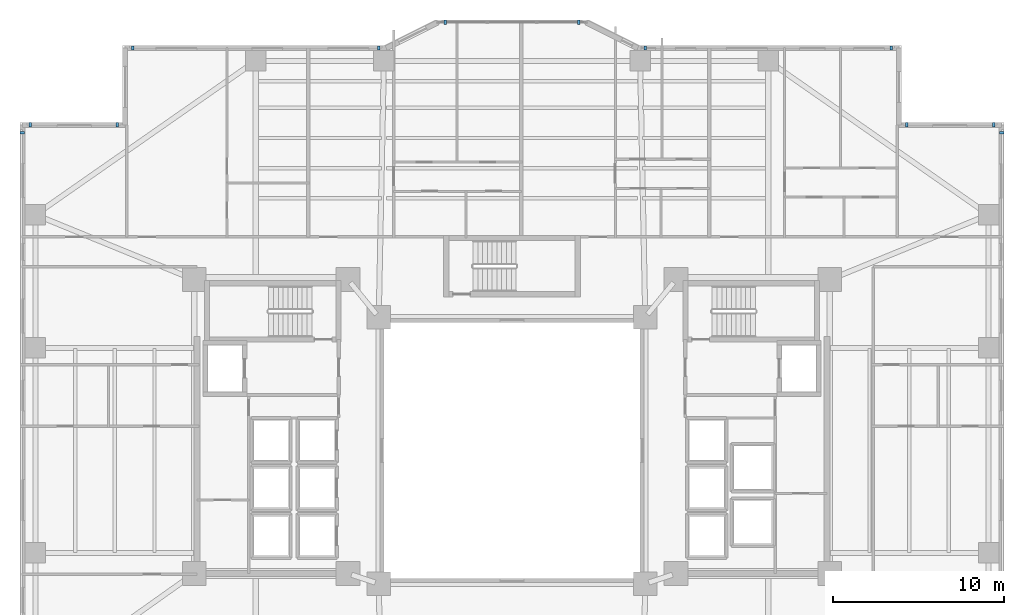
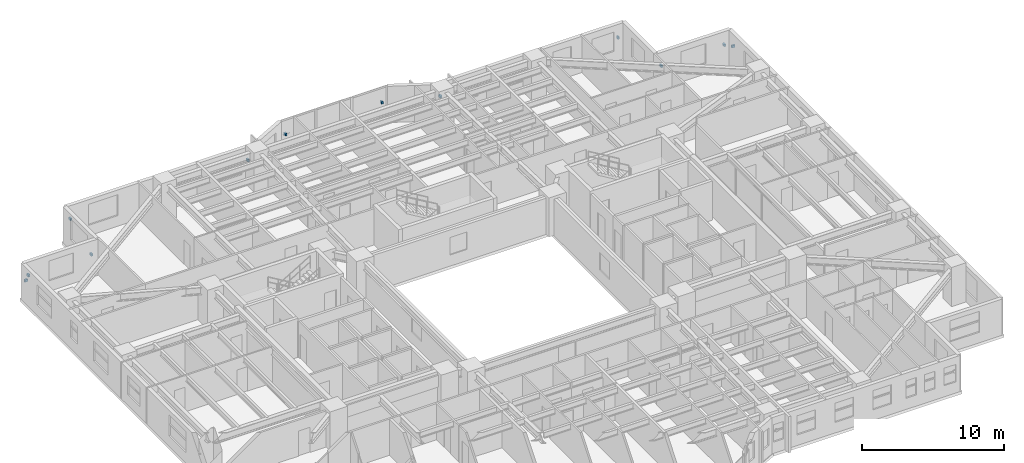
# One storey, part 19 of 22: 12 discrete accessories.
"""IFC4 building model written with IfcOpenShell, lengths in metres."""

from ifc_helpers import new_model, si_unit, direction, frame, origin, origin_2d, place, context, subcontext, project, spatial, rectangle, extrude, material, type_object, element, save


model = new_model("IFC4")

# Units and contexts
model_context = context("Model", 3, precision=1e-05, world=origin(), true_north=direction((0.0, 1.0)))
body_context = subcontext(model_context, "Body", "Model", "MODEL_VIEW")
ifc_project = project(units=[si_unit("LENGTHUNIT", "METRE"), si_unit("AREAUNIT", "SQUARE_METRE"), si_unit("VOLUMEUNIT", "CUBIC_METRE"), si_unit("PLANEANGLEUNIT", "RADIAN"), si_unit("MASSUNIT", "GRAM", prefix="KILO")], contexts=[model_context])

# Site, building, storey
site_placement = place(None, origin())
site = spatial("IfcSite", under=ifc_project, at=site_placement, CompositionType="ELEMENT")
building_placement = place(site_placement, origin())
building = spatial("IfcBuilding", under=site, at=building_placement, Name="Tarnavaz Court Tower", CompositionType="ELEMENT")
storey_placement = place(building_placement, frame((0.0, 0.0, 57.5)))
storey = spatial("IfcBuildingStorey", under=building, at=storey_placement, Name="L15", CompositionType="ELEMENT", Elevation=57.5)

# Discrete accessories
ifc_material = material(Name="Anodised Aluminium 6063-T6", Category="aluminium")
discrete_accessory_type = type_object("IfcDiscreteAccessoryType", Name="DA-BRKT-ALU", PredefinedType="BRACKET", material=ifc_material)
for number, where, z_axis, x_axis, name in (
    (1, (-28.669921875, 18.60009765625, 1.75), (0.0, 0.0, 1.0), (0.0, 1.0, 0.0), "L15 Baguette Outrigger Bracket FBG02-2"),
    (2, (-28.199951171875, 19.070068359375, 1.75), (0.0, 0.0, 1.0), (1.0, 0.0, 0.0), "L15 Baguette Outrigger Bracket FBG03-1"),
    (3, (-23.10009765625, 19.070068359375, 1.75), (0.0, 0.0, 1.0), (1.0, 0.0, 0.0), "L15 Baguette Outrigger Bracket FBG03-2"),
    (4, (-22.199951171875, 23.570068359375, 1.75), (0.0, 0.0, 1.0), (1.0, 0.0, 0.0), "L15 Baguette Outrigger Bracket FBG05-1"),
    (5, (-7.800048828125, 23.570068359375, 1.75), (0.0, 0.0, 1.0), (1.0, 0.0, 0.0), "L15 Baguette Outrigger Bracket FBG05-2"),
    (6, (-3.89990234375, 25.070068359375, 1.7001953125), (0.0, 0.0, 1.0), (1.0, 0.0, 0.0), "L15 Baguette Outrigger Bracket PBG7-1"),
    (7, (3.89990234375, 25.070068359375, 1.7001953125), (0.0, 0.0, 1.0), (1.0, 0.0, 0.0), "L15 Baguette Outrigger Bracket PBG7-2"),
    (8, (7.800048828125, 23.570068359375, 1.75), (0.0, 0.0, 1.0), (1.0, 0.0, 0.0), "L15 Baguette Outrigger Bracket FBG09-1"),
    (9, (22.199951171875, 23.570068359375, 1.75), (0.0, 0.0, 1.0), (1.0, 0.0, 0.0), "L15 Baguette Outrigger Bracket FBG09-2"),
    (10, (23.10009765625, 19.070068359375, 1.75), (0.0, 0.0, 1.0), (1.0, 0.0, 0.0), "L15 Baguette Outrigger Bracket FBG11-1"),
    (11, (28.199951171875, 19.070068359375, 1.75), (0.0, 0.0, 1.0), (1.0, 0.0, 0.0), "L15 Baguette Outrigger Bracket FBG11-2"),
    (12, (28.669921875, 18.60009765625, 1.75), (0.0, 0.0, 1.0), (0.0, -1.0, 0.0), "L15 Baguette Outrigger Bracket FBG12-1"),
):
    element("IfcDiscreteAccessory", number, at=place(storey_placement, frame(where, z_axis=z_axis, x_axis=x_axis)), inside=storey, type_object=discrete_accessory_type, Name=name, PredefinedType="BRACKET", context=body_context, shape_type="SweptSolid", body=[
        extrude(rectangle(XDim=0.139892578125, YDim=0.239990234375, at=origin_2d()), origin(), (0.0, 0.0, 1.0), 0.199951171875),
    ])

save(model, "model.ifc")
